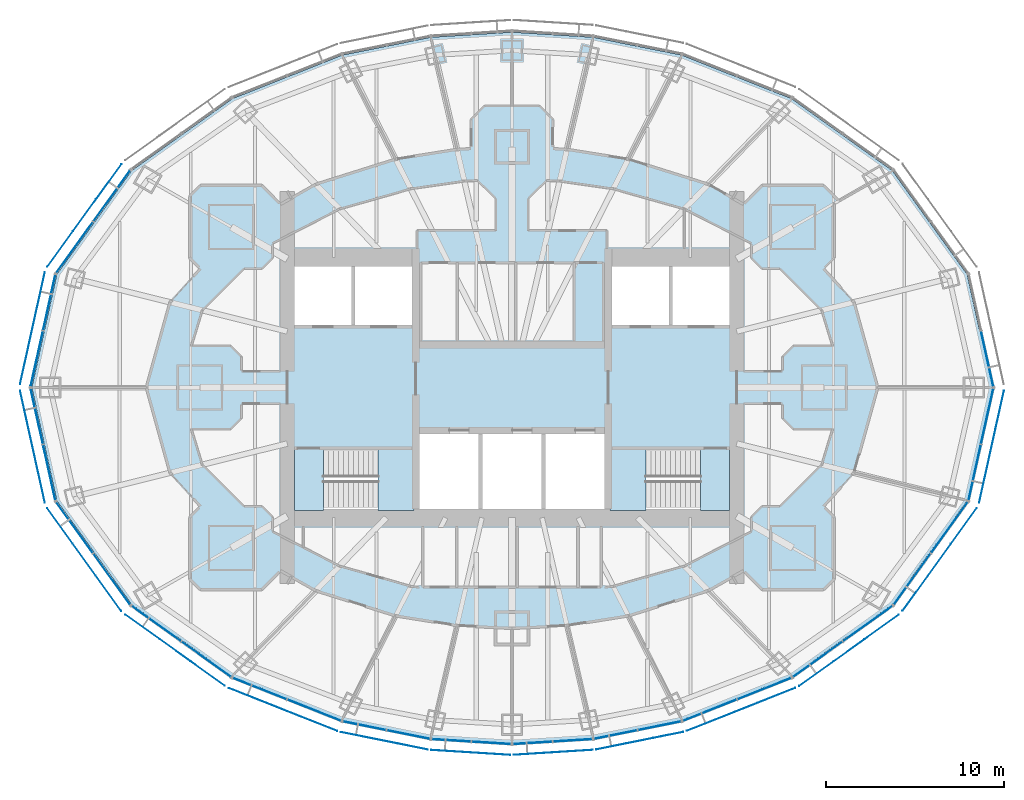
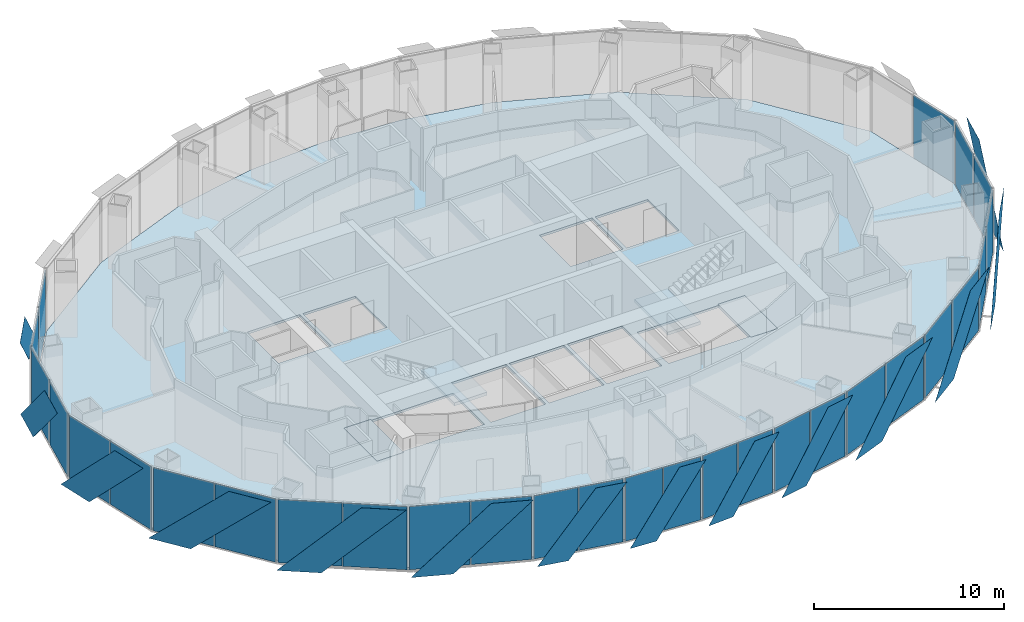
# One storey, part 10 of 18: 43 plates, 5 slabs, 17 elements without a shape of their own.
"""IFC4 building model written with IfcOpenShell, lengths in metres."""

from ifc_helpers import new_model, si_unit, direction, frame, origin, origin_2d, place, context, subcontext, project, spatial, polyline, rectangle, outline, extrude, material, layer, layer_set, type_object, element, aggregate, save


model = new_model("IFC4")

# Units and contexts
model_context = context("Model", 3, precision=1e-05, world=origin(), true_north=direction((0.0, 1.0)))
body_context = subcontext(model_context, "Body", "Model", "MODEL_VIEW")
ifc_project = project(units=[si_unit("LENGTHUNIT", "METRE"), si_unit("AREAUNIT", "SQUARE_METRE"), si_unit("VOLUMEUNIT", "CUBIC_METRE"), si_unit("PLANEANGLEUNIT", "RADIAN"), si_unit("MASSUNIT", "GRAM", prefix="KILO")], contexts=[model_context])

# Site, building, storey
site_placement = place(None, origin())
site = spatial("IfcSite", under=ifc_project, at=site_placement, CompositionType="ELEMENT")
building_placement = place(site_placement, origin())
building = spatial("IfcBuilding", under=site, at=building_placement, Name="Lantaw Convention Tower", CompositionType="ELEMENT")
storey_placement = place(building_placement, frame((0.0, 0.0, 241.0)))
storey = spatial("IfcBuildingStorey", under=building, at=storey_placement, Name="L56", CompositionType="ELEMENT", Elevation=241.0)

# Curtain wall, plate
ifc_material_1 = material(Name="Aluminium framed curtain wall", Category="aluminium")
curtain_wall_type = type_object("IfcCurtainWallType", Name="Office curtain wall high rise, pale aluminium", PredefinedType="USERDEFINED", material=ifc_material_1)
curtain_wall_1_placement = place(storey_placement, origin())
curtain_wall_1 = element("IfcCurtainWall", 1, at=curtain_wall_1_placement, inside=storey, type_object=curtain_wall_type, Name="Office curtain wall high rise, pale aluminium L56", ObjectType="UNITISED CURTAIN WALL", PredefinedType="USERDEFINED")
ifc_material_2 = material(Name="Clear insulating glass", Category="glass")
ifc_layer_1 = layer(ifc_material_2, 0.028076171875)
ifc_layer_set_1 = layer_set([ifc_layer_1], Name="CW-O2 panel 28")
plate_type_1 = type_object("IfcPlateType", Name="CW-O2 panel 28", PredefinedType="CURTAIN_PANEL", material=ifc_layer_set_1)
plate_1_placement = place(storey_placement, frame((26.643798828125, 1.61083984375, -0.0849609375), z_axis=(0.0, 0.0, 1.0), x_axis=(-0.215891333626, 0.976417396437, 0.0)))
plate_1 = element("IfcPlate", 2, at=plate_1_placement, type_object=plate_type_1, Name="CW-O2 panel 1.1", PredefinedType="CURTAIN_PANEL", context=body_context, shape_type="SweptSolid", body=[
    extrude(rectangle(XDim=3.169677734375, YDim=0.028076171875, at=origin_2d()), origin(), (0.0, 0.0, 1.0), 4.070068359375),
])
aggregate(curtain_wall_1, [plate_1])

# Curtain wall, plates
curtain_wall_2_placement = place(storey_placement, origin())
curtain_wall_2 = element("IfcCurtainWall", 3, at=curtain_wall_2_placement, inside=storey, type_object=curtain_wall_type, Name="Office curtain wall high rise, pale aluminium L56", ObjectType="UNITISED CURTAIN WALL", PredefinedType="USERDEFINED")
plate_2_placement = place(storey_placement, frame((-22.4404296875, 10.743896484375, -0.0849609375), z_axis=(0.0, 0.0, 1.0), x_axis=(-0.585157643865, -0.810919559405, 0.0)))
plate_2 = element("IfcPlate", 4, at=plate_2_placement, type_object=plate_type_1, Name="CW-O2 panel 1.1", PredefinedType="CURTAIN_PANEL", context=body_context, shape_type="SweptSolid", body=[
    extrude(rectangle(XDim=3.500732421875, YDim=0.028076171875, at=origin_2d()), origin(), (0.0, 0.0, 1.0), 4.070068359375),
])
plate_3_placement = place(storey_placement, frame((-24.527099609375, 7.852294921875, -0.0849609375), z_axis=(0.0, 0.0, 1.0), x_axis=(-0.585157643865, -0.810919559405, 0.0)))
plate_3 = element("IfcPlate", 5, at=plate_3_placement, type_object=plate_type_1, Name="CW-O2 panel 2.1", PredefinedType="CURTAIN_PANEL", context=body_context, shape_type="SweptSolid", body=[
    extrude(rectangle(XDim=3.500732421875, YDim=0.028076171875, at=origin_2d()), origin(), (0.0, 0.0, 1.0), 4.070068359375),
])
aggregate(curtain_wall_2, [plate_2, plate_3])

curtain_wall_3_placement = place(storey_placement, origin())
curtain_wall_3 = element("IfcCurtainWall", 6, at=curtain_wall_3_placement, inside=storey, type_object=curtain_wall_type, Name="Office curtain wall high rise, pale aluminium L56", ObjectType="UNITISED CURTAIN WALL", PredefinedType="USERDEFINED")
plate_4_placement = place(storey_placement, frame((-25.945556640625, 4.769287109375, -0.0849609375), z_axis=(0.0, 0.0, 1.0), x_axis=(-0.215891333626, -0.976417396437, 0.0)))
plate_4 = element("IfcPlate", 7, at=plate_4_placement, type_object=plate_type_1, Name="CW-O2 panel 1.1", PredefinedType="CURTAIN_PANEL", context=body_context, shape_type="SweptSolid", body=[
    extrude(rectangle(XDim=3.169677734375, YDim=0.028076171875, at=origin_2d()), origin(), (0.0, 0.0, 1.0), 4.070068359375),
])
plate_5_placement = place(storey_placement, frame((-26.643798828125, 1.61083984375, -0.0849609375), z_axis=(0.0, 0.0, 1.0), x_axis=(-0.215891333626, -0.976417396437, 0.0)))
plate_5 = element("IfcPlate", 8, at=plate_5_placement, type_object=plate_type_1, Name="CW-O2 panel 2.1", PredefinedType="CURTAIN_PANEL", context=body_context, shape_type="SweptSolid", body=[
    extrude(rectangle(XDim=3.169677734375, YDim=0.028076171875, at=origin_2d()), origin(), (0.0, 0.0, 1.0), 4.070068359375),
])
aggregate(curtain_wall_3, [plate_4, plate_5])

curtain_wall_4_placement = place(storey_placement, origin())
curtain_wall_4 = element("IfcCurtainWall", 9, at=curtain_wall_4_placement, inside=storey, type_object=curtain_wall_type, Name="Office curtain wall high rise, pale aluminium L56", ObjectType="UNITISED CURTAIN WALL", PredefinedType="USERDEFINED")
plate_6_placement = place(storey_placement, frame((-26.643798828125, -1.61083984375, -0.0849609375), z_axis=(0.0, 0.0, 1.0), x_axis=(0.215891333626, -0.976417396437, 0.0)))
plate_6 = element("IfcPlate", 10, at=plate_6_placement, type_object=plate_type_1, Name="CW-O2 panel 1.1", PredefinedType="CURTAIN_PANEL", context=body_context, shape_type="SweptSolid", body=[
    extrude(rectangle(XDim=3.169677734375, YDim=0.028076171875, at=origin_2d()), origin(), (0.0, 0.0, 1.0), 4.070068359375),
])
plate_7_placement = place(storey_placement, frame((-25.945556640625, -4.769287109375, -0.0849609375), z_axis=(0.0, 0.0, 1.0), x_axis=(0.215891333626, -0.976417396437, 0.0)))
plate_7 = element("IfcPlate", 11, at=plate_7_placement, type_object=plate_type_1, Name="CW-O2 panel 2.1", PredefinedType="CURTAIN_PANEL", context=body_context, shape_type="SweptSolid", body=[
    extrude(rectangle(XDim=3.169677734375, YDim=0.028076171875, at=origin_2d()), origin(), (0.0, 0.0, 1.0), 4.070068359375),
])
aggregate(curtain_wall_4, [plate_6, plate_7])

curtain_wall_5_placement = place(storey_placement, origin())
curtain_wall_5 = element("IfcCurtainWall", 12, at=curtain_wall_5_placement, inside=storey, type_object=curtain_wall_type, Name="Office curtain wall high rise, pale aluminium L56", ObjectType="UNITISED CURTAIN WALL", PredefinedType="USERDEFINED")
plate_8_placement = place(storey_placement, frame((-24.527099609375, -7.852294921875, -0.0849609375), z_axis=(0.0, 0.0, 1.0), x_axis=(0.585157643865, -0.810919559405, 0.0)))
plate_8 = element("IfcPlate", 13, at=plate_8_placement, type_object=plate_type_1, Name="CW-O2 panel 1.1", PredefinedType="CURTAIN_PANEL", context=body_context, shape_type="SweptSolid", body=[
    extrude(rectangle(XDim=3.500732421875, YDim=0.028076171875, at=origin_2d()), origin(), (0.0, 0.0, 1.0), 4.070068359375),
])
plate_9_placement = place(storey_placement, frame((-22.4404296875, -10.743896484375, -0.0849609375), z_axis=(0.0, 0.0, 1.0), x_axis=(0.585157643865, -0.810919559405, 0.0)))
plate_9 = element("IfcPlate", 14, at=plate_9_placement, type_object=plate_type_1, Name="CW-O2 panel 2.1", PredefinedType="CURTAIN_PANEL", context=body_context, shape_type="SweptSolid", body=[
    extrude(rectangle(XDim=3.500732421875, YDim=0.028076171875, at=origin_2d()), origin(), (0.0, 0.0, 1.0), 4.070068359375),
])
aggregate(curtain_wall_5, [plate_8, plate_9])

curtain_wall_6_placement = place(storey_placement, origin())
curtain_wall_6 = element("IfcCurtainWall", 15, at=curtain_wall_6_placement, inside=storey, type_object=curtain_wall_type, Name="Office curtain wall high rise, pale aluminium L56", ObjectType="UNITISED CURTAIN WALL", PredefinedType="USERDEFINED")
plate_10_placement = place(storey_placement, frame((-19.947509765625, -13.23828125, -0.0849609375), z_axis=(0.0, 0.0, 1.0), x_axis=(0.813672540482, -0.581323487281, 0.0)))
plate_10 = element("IfcPlate", 16, at=plate_10_placement, type_object=plate_type_1, Name="CW-O2 panel 1.1", PredefinedType="CURTAIN_PANEL", context=body_context, shape_type="SweptSolid", body=[
    extrude(rectangle(XDim=3.386474609375, YDim=0.028076171875, at=origin_2d()), origin(), (0.0, 0.0, 1.0), 4.070068359375),
])
plate_11_placement = place(storey_placement, frame((-17.13916015625, -15.24462890625, -0.0849609375), z_axis=(0.0, 0.0, 1.0), x_axis=(0.813672540482, -0.581323487281, 0.0)))
plate_11 = element("IfcPlate", 17, at=plate_11_placement, type_object=plate_type_1, Name="CW-O2 panel 2.1", PredefinedType="CURTAIN_PANEL", context=body_context, shape_type="SweptSolid", body=[
    extrude(rectangle(XDim=3.386474609375, YDim=0.028076171875, at=origin_2d()), origin(), (0.0, 0.0, 1.0), 4.070068359375),
])
aggregate(curtain_wall_6, [plate_10, plate_11])

curtain_wall_7_placement = place(storey_placement, origin())
curtain_wall_7 = element("IfcCurtainWall", 18, at=curtain_wall_7_placement, inside=storey, type_object=curtain_wall_type, Name="Office curtain wall high rise, pale aluminium L56", ObjectType="UNITISED CURTAIN WALL", PredefinedType="USERDEFINED")
plate_12_placement = place(storey_placement, frame((-14.14990234375, -16.8837890625, -0.0849609375), z_axis=(0.0, 0.0, 1.0), x_axis=(0.929761533743, -0.368162315252, 0.0)))
plate_12 = element("IfcPlate", 19, at=plate_12_placement, type_object=plate_type_1, Name="CW-O2 panel 1.1", PredefinedType="CURTAIN_PANEL", context=body_context, shape_type="SweptSolid", body=[
    extrude(rectangle(XDim=3.222900390625, YDim=0.028076171875, at=origin_2d()), origin(), (0.0, 0.0, 1.0), 4.070068359375),
])
plate_13_placement = place(storey_placement, frame((-11.0927734375, -18.094482421875, -0.0849609375), z_axis=(0.0, 0.0, 1.0), x_axis=(0.929761533743, -0.368162315252, 0.0)))
plate_13 = element("IfcPlate", 20, at=plate_13_placement, type_object=plate_type_1, Name="CW-O2 panel 2.1", PredefinedType="CURTAIN_PANEL", context=body_context, shape_type="SweptSolid", body=[
    extrude(rectangle(XDim=3.222900390625, YDim=0.028076171875, at=origin_2d()), origin(), (0.0, 0.0, 1.0), 4.070068359375),
])
aggregate(curtain_wall_7, [plate_12, plate_13])

curtain_wall_8_placement = place(storey_placement, origin())
curtain_wall_8 = element("IfcCurtainWall", 21, at=curtain_wall_8_placement, inside=storey, type_object=curtain_wall_type, Name="Office curtain wall high rise, pale aluminium L56", ObjectType="UNITISED CURTAIN WALL", PredefinedType="USERDEFINED")
plate_14_placement = place(storey_placement, frame((-8.2724609375, -18.96533203125, -0.0849609375), z_axis=(0.0, 0.0, 1.0), x_axis=(0.980366679695, -0.197183095987, 0.0)))
plate_14 = element("IfcPlate", 22, at=plate_14_placement, type_object=plate_type_1, Name="CW-O2 panel 1.1", PredefinedType="CURTAIN_PANEL", context=body_context, shape_type="SweptSolid", body=[
    extrude(rectangle(XDim=2.44384765625, YDim=0.028076171875, at=origin_2d()), origin(), (0.0, 0.0, 1.0), 4.070068359375),
])
plate_15_placement = place(storey_placement, frame((-5.81298828125, -19.4599609375, -0.0849609375), z_axis=(0.0, 0.0, 1.0), x_axis=(0.980366679695, -0.197183095987, 0.0)))
plate_15 = element("IfcPlate", 23, at=plate_15_placement, type_object=plate_type_1, Name="CW-O2 panel 2.1", PredefinedType="CURTAIN_PANEL", context=body_context, shape_type="SweptSolid", body=[
    extrude(rectangle(XDim=2.44384765625, YDim=0.028076171875, at=origin_2d()), origin(), (0.0, 0.0, 1.0), 4.070068359375),
])
aggregate(curtain_wall_8, [plate_14, plate_15])

curtain_wall_9_placement = place(storey_placement, origin())
curtain_wall_9 = element("IfcCurtainWall", 24, at=curtain_wall_9_placement, inside=storey, type_object=curtain_wall_type, Name="Office curtain wall high rise, pale aluminium L56", ObjectType="UNITISED CURTAIN WALL", PredefinedType="USERDEFINED")
plate_16_placement = place(storey_placement, frame((-3.397216796875, -19.786376953125, -0.0849609375), z_axis=(0.0, 0.0, 1.0), x_axis=(0.998028774865, -0.062757983884, 0.0)))
plate_16 = element("IfcPlate", 25, at=plate_16_placement, type_object=plate_type_1, Name="CW-O2 panel 1.1", PredefinedType="CURTAIN_PANEL", context=body_context, shape_type="SweptSolid", body=[
    extrude(rectangle(XDim=2.1826171875, YDim=0.028076171875, at=origin_2d()), origin(), (0.0, 0.0, 1.0), 4.070068359375),
])
plate_17_placement = place(storey_placement, frame((-1.154052734375, -19.927490234375, -0.0849609375), z_axis=(0.0, 0.0, 1.0), x_axis=(0.998028774865, -0.062757983884, 0.0)))
plate_17 = element("IfcPlate", 26, at=plate_17_placement, type_object=plate_type_1, Name="CW-O2 panel 2.1", PredefinedType="CURTAIN_PANEL", context=body_context, shape_type="SweptSolid", body=[
    extrude(rectangle(XDim=2.1826171875, YDim=0.028076171875, at=origin_2d()), origin(), (0.0, 0.0, 1.0), 4.070068359375),
])
aggregate(curtain_wall_9, [plate_16, plate_17])

curtain_wall_10_placement = place(storey_placement, origin())
curtain_wall_10 = element("IfcCurtainWall", 27, at=curtain_wall_10_placement, inside=storey, type_object=curtain_wall_type, Name="Office curtain wall high rise, pale aluminium L56", ObjectType="UNITISED CURTAIN WALL", PredefinedType="USERDEFINED")
plate_18_placement = place(storey_placement, frame((1.154052734375, -19.927490234375, -0.0849609375), z_axis=(0.0, 0.0, 1.0), x_axis=(0.998028774865, 0.062757983884, 0.0)))
plate_18 = element("IfcPlate", 28, at=plate_18_placement, type_object=plate_type_1, Name="CW-O2 panel 1.1", PredefinedType="CURTAIN_PANEL", context=body_context, shape_type="SweptSolid", body=[
    extrude(rectangle(XDim=2.1826171875, YDim=0.028076171875, at=origin_2d()), origin(), (0.0, 0.0, 1.0), 4.070068359375),
])
plate_19_placement = place(storey_placement, frame((3.397216796875, -19.786376953125, -0.0849609375), z_axis=(0.0, 0.0, 1.0), x_axis=(0.998028774865, 0.062757983884, 0.0)))
plate_19 = element("IfcPlate", 29, at=plate_19_placement, type_object=plate_type_1, Name="CW-O2 panel 2.1", PredefinedType="CURTAIN_PANEL", context=body_context, shape_type="SweptSolid", body=[
    extrude(rectangle(XDim=2.1826171875, YDim=0.028076171875, at=origin_2d()), origin(), (0.0, 0.0, 1.0), 4.070068359375),
])
aggregate(curtain_wall_10, [plate_18, plate_19])

curtain_wall_11_placement = place(storey_placement, origin())
curtain_wall_11 = element("IfcCurtainWall", 30, at=curtain_wall_11_placement, inside=storey, type_object=curtain_wall_type, Name="Office curtain wall high rise, pale aluminium L56", ObjectType="UNITISED CURTAIN WALL", PredefinedType="USERDEFINED")
plate_20_placement = place(storey_placement, frame((5.81298828125, -19.4599609375, -0.0849609375), z_axis=(0.0, 0.0, 1.0), x_axis=(0.980366679695, 0.197183095987, 0.0)))
plate_20 = element("IfcPlate", 31, at=plate_20_placement, type_object=plate_type_1, Name="CW-O2 panel 1.1", PredefinedType="CURTAIN_PANEL", context=body_context, shape_type="SweptSolid", body=[
    extrude(rectangle(XDim=2.44384765625, YDim=0.028076171875, at=origin_2d()), origin(), (0.0, 0.0, 1.0), 4.070068359375),
])
plate_21_placement = place(storey_placement, frame((8.2724609375, -18.96533203125, -0.0849609375), z_axis=(0.0, 0.0, 1.0), x_axis=(0.980366679695, 0.197183095987, 0.0)))
plate_21 = element("IfcPlate", 32, at=plate_21_placement, type_object=plate_type_1, Name="CW-O2 panel 2.1", PredefinedType="CURTAIN_PANEL", context=body_context, shape_type="SweptSolid", body=[
    extrude(rectangle(XDim=2.44384765625, YDim=0.028076171875, at=origin_2d()), origin(), (0.0, 0.0, 1.0), 4.070068359375),
])
aggregate(curtain_wall_11, [plate_20, plate_21])

curtain_wall_12_placement = place(storey_placement, origin())
curtain_wall_12 = element("IfcCurtainWall", 33, at=curtain_wall_12_placement, inside=storey, type_object=curtain_wall_type, Name="Office curtain wall high rise, pale aluminium L56", ObjectType="UNITISED CURTAIN WALL", PredefinedType="USERDEFINED")
plate_22_placement = place(storey_placement, frame((11.0927734375, -18.094482421875, -0.0849609375), z_axis=(0.0, 0.0, 1.0), x_axis=(0.929761533743, 0.368162315252, 0.0)))
plate_22 = element("IfcPlate", 34, at=plate_22_placement, type_object=plate_type_1, Name="CW-O2 panel 1.1", PredefinedType="CURTAIN_PANEL", context=body_context, shape_type="SweptSolid", body=[
    extrude(rectangle(XDim=3.222900390625, YDim=0.028076171875, at=origin_2d()), origin(), (0.0, 0.0, 1.0), 4.070068359375),
])
plate_23_placement = place(storey_placement, frame((14.14990234375, -16.8837890625, -0.0849609375), z_axis=(0.0, 0.0, 1.0), x_axis=(0.929761533743, 0.368162315252, 0.0)))
plate_23 = element("IfcPlate", 35, at=plate_23_placement, type_object=plate_type_1, Name="CW-O2 panel 2.1", PredefinedType="CURTAIN_PANEL", context=body_context, shape_type="SweptSolid", body=[
    extrude(rectangle(XDim=3.222900390625, YDim=0.028076171875, at=origin_2d()), origin(), (0.0, 0.0, 1.0), 4.070068359375),
])
aggregate(curtain_wall_12, [plate_22, plate_23])

curtain_wall_13_placement = place(storey_placement, origin())
curtain_wall_13 = element("IfcCurtainWall", 36, at=curtain_wall_13_placement, inside=storey, type_object=curtain_wall_type, Name="Office curtain wall high rise, pale aluminium L56", ObjectType="UNITISED CURTAIN WALL", PredefinedType="USERDEFINED")
plate_24_placement = place(storey_placement, frame((17.13916015625, -15.24462890625, -0.0849609375), z_axis=(0.0, 0.0, 1.0), x_axis=(0.813672540482, 0.581323487281, 0.0)))
plate_24 = element("IfcPlate", 37, at=plate_24_placement, type_object=plate_type_1, Name="CW-O2 panel 1.1", PredefinedType="CURTAIN_PANEL", context=body_context, shape_type="SweptSolid", body=[
    extrude(rectangle(XDim=3.386474609375, YDim=0.028076171875, at=origin_2d()), origin(), (0.0, 0.0, 1.0), 4.070068359375),
])
plate_25_placement = place(storey_placement, frame((19.947509765625, -13.23828125, -0.0849609375), z_axis=(0.0, 0.0, 1.0), x_axis=(0.813672540482, 0.581323487281, 0.0)))
plate_25 = element("IfcPlate", 38, at=plate_25_placement, type_object=plate_type_1, Name="CW-O2 panel 2.1", PredefinedType="CURTAIN_PANEL", context=body_context, shape_type="SweptSolid", body=[
    extrude(rectangle(XDim=3.386474609375, YDim=0.028076171875, at=origin_2d()), origin(), (0.0, 0.0, 1.0), 4.070068359375),
])
aggregate(curtain_wall_13, [plate_24, plate_25])

curtain_wall_14_placement = place(storey_placement, origin())
curtain_wall_14 = element("IfcCurtainWall", 39, at=curtain_wall_14_placement, inside=storey, type_object=curtain_wall_type, Name="Office curtain wall high rise, pale aluminium L56", ObjectType="UNITISED CURTAIN WALL", PredefinedType="USERDEFINED")
plate_26_placement = place(storey_placement, frame((22.4404296875, -10.743896484375, -0.0849609375), z_axis=(0.0, 0.0, 1.0), x_axis=(0.585157643865, 0.810919559405, 0.0)))
plate_26 = element("IfcPlate", 40, at=plate_26_placement, type_object=plate_type_1, Name="CW-O2 panel 1.1", PredefinedType="CURTAIN_PANEL", context=body_context, shape_type="SweptSolid", body=[
    extrude(rectangle(XDim=3.500732421875, YDim=0.028076171875, at=origin_2d()), origin(), (0.0, 0.0, 1.0), 4.070068359375),
])
plate_27_placement = place(storey_placement, frame((24.527099609375, -7.852294921875, -0.0849609375), z_axis=(0.0, 0.0, 1.0), x_axis=(0.585157643865, 0.810919559405, 0.0)))
plate_27 = element("IfcPlate", 41, at=plate_27_placement, type_object=plate_type_1, Name="CW-O2 panel 2.1", PredefinedType="CURTAIN_PANEL", context=body_context, shape_type="SweptSolid", body=[
    extrude(rectangle(XDim=3.500732421875, YDim=0.028076171875, at=origin_2d()), origin(), (0.0, 0.0, 1.0), 4.070068359375),
])
aggregate(curtain_wall_14, [plate_26, plate_27])

curtain_wall_15_placement = place(storey_placement, origin())
curtain_wall_15 = element("IfcCurtainWall", 42, at=curtain_wall_15_placement, inside=storey, type_object=curtain_wall_type, Name="Office curtain wall high rise, pale aluminium L56", ObjectType="UNITISED CURTAIN WALL", PredefinedType="USERDEFINED")
plate_28_placement = place(storey_placement, frame((25.945556640625, -4.769287109375, -0.0849609375), z_axis=(0.0, 0.0, 1.0), x_axis=(0.215891333626, 0.976417396437, 0.0)))
plate_28 = element("IfcPlate", 43, at=plate_28_placement, type_object=plate_type_1, Name="CW-O2 panel 1.1", PredefinedType="CURTAIN_PANEL", context=body_context, shape_type="SweptSolid", body=[
    extrude(rectangle(XDim=3.169677734375, YDim=0.028076171875, at=origin_2d()), origin(), (0.0, 0.0, 1.0), 4.070068359375),
])
plate_29_placement = place(storey_placement, frame((26.643798828125, -1.61083984375, -0.0849609375), z_axis=(0.0, 0.0, 1.0), x_axis=(0.215891333626, 0.976417396437, 0.0)))
plate_29 = element("IfcPlate", 44, at=plate_29_placement, type_object=plate_type_1, Name="CW-O2 panel 2.1", PredefinedType="CURTAIN_PANEL", context=body_context, shape_type="SweptSolid", body=[
    extrude(rectangle(XDim=3.169677734375, YDim=0.028076171875, at=origin_2d()), origin(), (0.0, 0.0, 1.0), 4.070068359375),
])
aggregate(curtain_wall_15, [plate_28, plate_29])

# Slab
ifc_material_3 = material(Name="Concrete C35/45", Category="concrete")
ifc_layer_2 = layer(ifc_material_3, 0.14990234375)
ifc_layer_set_2 = layer_set([ifc_layer_2], Name="Floor slab 150")
slab_type_1 = type_object("IfcSlabType", Name="Floor slab 150", PredefinedType="FLOOR", material=ifc_layer_set_2)
slab_1_placement = place(storey_placement, frame((0.0, 0.0, -0.14990234375)))
element("IfcSlab", 45, at=slab_1_placement, inside=storey, type_object=slab_type_1, Name="L56 floor slab", PredefinedType="FLOOR", context=body_context, shape_type="SweptSolid", body=[
    extrude(outline(polyline([(25.51953125, -6.348876953125), (26.923095703125, 0.0), (25.51953125, 6.348876953125), (21.324462890625, 12.162109375), (15.67236328125, 16.2001953125), (9.5126953125, 18.639404296875), (4.54150390625, 19.63916015625), (0.0, 19.9248046875), (-4.54150390625, 19.63916015625), (-9.5126953125, 18.639404296875), (-15.67236328125, 16.2001953125), (-21.324462890625, 12.162109375), (-25.51953125, 6.348876953125), (-26.923095703125, 0.0), (-25.51953125, -6.348876953125), (-21.324462890625, -12.162109375), (-15.67236328125, -16.2001953125), (-9.5126953125, -18.639404296875), (-4.54150390625, -19.63916015625), (0.0, -19.9248046875), (4.54150390625, -19.63916015625), (9.5126953125, -18.639404296875), (15.67236328125, -16.2001953125), (21.324462890625, -12.162109375), (25.51953125, -6.348876953125)]), holes=[polyline([(-5.60009765625, -3.5), (-12.199951171875, -3.5), (-12.199951171875, -6.800048828125), (-5.60009765625, -6.800048828125), (-5.60009765625, -3.5)]), polyline([(12.199951171875, -3.5), (5.60009765625, -3.5), (5.60009765625, -6.800048828125), (12.199951171875, -6.800048828125), (12.199951171875, -3.5)]), polyline([(-1.86669921875, -2.60009765625), (-5.199951171875, -2.60009765625), (-5.199951171875, -6.800048828125), (-1.86669921875, -6.800048828125), (-1.86669921875, -2.60009765625)]), polyline([(1.666748046875, -2.60009765625), (-1.666748046875, -2.60009765625), (-1.666748046875, -6.800048828125), (1.666748046875, -6.800048828125), (1.666748046875, -2.60009765625)]), polyline([(5.199951171875, -2.60009765625), (1.86669921875, -2.60009765625), (1.86669921875, -6.800048828125), (5.199951171875, -6.800048828125), (5.199951171875, -2.60009765625)]), polyline([(-9.0, 6.800048828125), (-12.199951171875, 6.800048828125), (-12.199951171875, 3.5), (-9.0, 3.5), (-9.0, 6.800048828125)]), polyline([(-5.60009765625, 6.800048828125), (-8.800048828125, 6.800048828125), (-8.800048828125, 3.5), (-5.60009765625, 3.5), (-5.60009765625, 6.800048828125)]), polyline([(8.800048828125, 3.5), (8.800048828125, 6.800048828125), (5.60009765625, 6.800048828125), (5.60009765625, 3.5), (8.800048828125, 3.5)]), polyline([(12.199951171875, 3.5), (12.199951171875, 6.800048828125), (9.0, 6.800048828125), (9.0, 3.5), (12.199951171875, 3.5)])]), origin(), (0.0, 0.0, 1.0), 0.14990234375),
])

# Plates
ifc_material_4 = material(Name="Perforated aluminium sheet, pale silver finish", Category="aluminium")
ifc_layer_3 = layer(ifc_material_4, 0.006103515625)
ifc_layer_set_3 = layer_set([ifc_layer_3], Name="Perforated aluminium solar SCREEN panel")
plate_type_2 = type_object("IfcPlateType", Name="Perforated aluminium solar SCREEN panel", PredefinedType="SHEET", material=ifc_layer_set_3)
plate_30_placement = place(storey_placement, frame((-21.898681640625, 12.530029296875, -0.175048828125), z_axis=(-0.810892289695, 0.585195432394, 2.0458414e-05), x_axis=(-0.585195432516, -0.810892289865, 0.0)))
element("IfcPlate", 46, at=plate_30_placement, inside=storey, type_object=plate_type_2, Name="Solar SCREEN panel", PredefinedType="SHEET", context=body_context, shape_type="SweptSolid", body=[
    extrude(outline(polyline([(0.0, 0.0), (2.446848840683286, -6.776263578034403e-21), (7.09661046667572, 4.340087891533265), (4.649761625992435, 4.340087891533265), (0.0, 0.0)])), origin(), (0.0, 0.0, -1.0), 0.006103515625),
])
plate_31_placement = place(storey_placement, frame((-26.19189453125, 6.462158203125, -0.175048828125), z_axis=(0.976429511424, -0.215836529031, 4.4219438e-05), x_axis=(-0.215836529242, -0.976429512379, 0.0)))
element("IfcPlate", 47, at=plate_31_placement, inside=storey, type_object=plate_type_2, Name="Solar SCREEN panel", PredefinedType="SHEET", context=body_context, shape_type="SweptSolid", body=[
    extrude(outline(polyline([(0.0, 0.0), (2.2215525295212517, 3.3881317890172014e-21), (6.4341686174090675, -4.340087894868215), (4.212616087887817, -4.340087894868215), (0.0, 0.0)])), origin(), (0.0, 0.0, -1.0), 0.006103515625),
])
plate_32_placement = place(storey_placement, frame((-27.580810546875, -0.1796875, -0.175048828125), z_axis=(-0.976429511424, -0.215836529031, 4.4219438e-05), x_axis=(0.215836529242, -0.976429512379, 0.0)))
element("IfcPlate", 48, at=plate_32_placement, inside=storey, type_object=plate_type_2, Name="Solar SCREEN panel", PredefinedType="SHEET", context=body_context, shape_type="SweptSolid", body=[
    extrude(outline(polyline([(0.0, 0.0), (2.2215525295212517, -3.3881317890172014e-21), (6.4341686174090675, 4.340087894868215), (4.212616087887817, 4.340087894868215), (0.0, 0.0)])), origin(), (0.0, 0.0, -1.0), 0.006103515625),
])
plate_33_placement = place(storey_placement, frame((-26.051513671875, -6.775390625, -0.175048828125), z_axis=(0.810892289695, 0.585195432394, 2.0458414e-05), x_axis=(0.585195432516, -0.810892289865, 0.0)))
element("IfcPlate", 49, at=plate_33_placement, inside=storey, type_object=plate_type_2, Name="Solar SCREEN panel", PredefinedType="SHEET", context=body_context, shape_type="SweptSolid", body=[
    extrude(outline(polyline([(0.0, 0.0), (2.446848840683286, 6.776263578034403e-21), (7.09661046667572, -4.340087891533265), (4.649761625992435, -4.340087891533265), (0.0, 0.0)])), origin(), (0.0, 0.0, -1.0), 0.006103515625),
])
plate_34_placement = place(storey_placement, frame((-21.689697265625, -12.73828125, -0.175048828125), z_axis=(-0.581330799771, -0.813667316006, 1.0072414e-05), x_axis=(0.813667316047, -0.5813307998, 3.02e-10)))
element("IfcPlate", 50, at=plate_34_placement, inside=storey, type_object=plate_type_2, Name="Solar SCREEN panel", PredefinedType="SHEET", context=body_context, shape_type="SweptSolid", body=[
    extrude(outline(polyline([(0.0, 0.0), (2.3691416428668504, 0.0), (6.867806096558412, 4.34008788877314), (4.498863102938644, 4.340087890202622), (0.0, 0.0)])), origin(), (0.0, 0.0, -1.0), 0.006103515625),
])
plate_35_placement = place(storey_placement, frame((-15.88525390625, -16.8486328125, -0.175048828125), z_axis=(0.368116612072, 0.929779629081, 3.5533269e-05), x_axis=(0.929779629668, -0.368116612304, -1.786e-09)))
element("IfcPlate", 51, at=plate_35_placement, inside=storey, type_object=plate_type_2, Name="Solar SCREEN panel", PredefinedType="SHEET", context=body_context, shape_type="SweptSolid", body=[
    extrude(outline(polyline([(0.0, 0.0), (2.2578720663572183, -3.3881317890172014e-21), (6.540904465438181, -4.340087905048178), (4.282942526861161, -4.340087896982072), (0.0, 0.0)])), origin(), (0.0, 0.0, -1.0), 0.006103515625),
])
plate_36_placement = place(storey_placement, frame((-9.6044921875, -19.315673828125, -0.175048828125), z_axis=(0.197162069853, 0.980370908428, 1.0904083e-05), x_axis=(0.980370908486, -0.197162069865, -7.55e-10)))
element("IfcPlate", 52, at=plate_36_placement, inside=storey, type_object=plate_type_2, Name="Solar SCREEN panel", PredefinedType="SHEET", context=body_context, shape_type="SweptSolid", body=[
    extrude(outline(polyline([(0.0, 0.0), (1.7279870169553606, 8.470329472543003e-22), (4.982578440602753, -4.340087894645749), (3.2545432883764285, -4.340087892035838), (0.0, 0.0)])), origin(), (0.0, 0.0, -1.0), 0.006103515625),
])
plate_37_placement = place(storey_placement, frame((-4.539306640625, -20.32177734375, -0.175048828125), z_axis=(0.062672387577, 0.998034151922, 5.858668e-05), x_axis=(0.998034153635, -0.062672387685, 0.0)))
element("IfcPlate", 53, at=plate_37_placement, inside=storey, type_object=plate_type_2, Name="Solar SCREEN panel", PredefinedType="SHEET", context=body_context, shape_type="SweptSolid", body=[
    extrude(outline(polyline([(0.0, 0.0), (1.5504111513762302, 8.470329472543003e-22), (4.460200019412434, -4.340087898073457), (2.9097888680362036, -4.340087898073457), (0.0, 0.0)])), origin(), (0.0, 0.0, -1.0), 0.006103515625),
])
plate_38_placement = place(storey_placement, frame((0.087890625, -20.6015625, -0.175048828125), z_axis=(0.062672387577, -0.998034151922, 5.858668e-05), x_axis=(0.998034153635, 0.062672387685, 0.0)))
element("IfcPlate", 54, at=plate_38_placement, inside=storey, type_object=plate_type_2, Name="Solar SCREEN panel", PredefinedType="SHEET", context=body_context, shape_type="SweptSolid", body=[
    extrude(outline(polyline([(0.0, 0.0), (1.5504111513762302, -8.470329472543003e-22), (4.460200019412434, 4.340087898073457), (2.9097888680362036, 4.340087898073457), (0.0, 0.0)])), origin(), (0.0, 0.0, -1.0), 0.006103515625),
])
plate_39_placement = place(storey_placement, frame((4.7197265625, -20.298095703125, -0.175048828125), z_axis=(0.197162069853, -0.980370908428, 1.0904083e-05), x_axis=(0.980370908486, 0.197162069865, 7.55e-10)))
element("IfcPlate", 55, at=plate_39_placement, inside=storey, type_object=plate_type_2, Name="Solar SCREEN panel", PredefinedType="SHEET", context=body_context, shape_type="SweptSolid", body=[
    extrude(outline(polyline([(0.0, 0.0), (1.7280351522263238, 4.235164736271502e-22), (4.982578447157737, 4.34008788712039), (3.2545914302023755, 4.340087889730228), (0.0, 0.0)])), origin(), (0.0, 0.0, -1.0), 0.006103515625),
])
plate_40_placement = place(storey_placement, frame((9.8037109375, -19.256591796875, -0.175048828125), z_axis=(0.368116612072, -0.929779629081, 3.5533269e-05), x_axis=(0.929779629668, 0.368116612304, 1.786e-09)))
element("IfcPlate", 56, at=plate_40_placement, inside=storey, type_object=plate_type_2, Name="Solar SCREEN panel", PredefinedType="SHEET", context=body_context, shape_type="SweptSolid", body=[
    extrude(outline(polyline([(0.0, 0.0), (2.257961938577019, 0.0), (6.540904480942253, 4.34008788168214), (4.283032414585035, 4.340087889747925), (0.0, 0.0)])), origin(), (0.0, 0.0, -1.0), 0.006103515625),
])
plate_41_placement = place(storey_placement, frame((16.1015625, -16.730712890625, -0.175048828125), z_axis=(-0.581330799771, 0.813667316006, 1.0072414e-05), x_axis=(0.813667316047, 0.5813307998, -3.02e-10)))
element("IfcPlate", 57, at=plate_41_placement, inside=storey, type_object=plate_type_2, Name="Solar SCREEN panel", PredefinedType="SHEET", context=body_context, shape_type="SweptSolid", body=[
    extrude(outline(polyline([(0.0, 0.0), (2.3689429936197683, -1.6940658945086007e-21), (6.867806093939489, -4.340087892917353), (4.498664451072639, -4.340087891487751), (0.0, 0.0)])), origin(), (0.0, 0.0, -1.0), 0.006103515625),
])
plate_42_placement = place(storey_placement, frame((21.898681640625, -12.530029296875, -0.175048828125), z_axis=(0.810892289695, -0.585195432394, 2.0458414e-05), x_axis=(0.585195432516, 0.810892289865, 0.0)))
element("IfcPlate", 58, at=plate_42_placement, inside=storey, type_object=plate_type_2, Name="Solar SCREEN panel", PredefinedType="SHEET", context=body_context, shape_type="SweptSolid", body=[
    extrude(outline(polyline([(0.0, 0.0), (2.446848840683286, -6.776263578034403e-21), (7.09661046667572, 4.340087891533265), (4.649761625992435, 4.340087891533265), (0.0, 0.0)])), origin(), (0.0, 0.0, -1.0), 0.006103515625),
])
plate_43_placement = place(storey_placement, frame((26.19189453125, -6.462158203125, -0.175048828125), z_axis=(-0.976429511424, 0.215836529031, 4.4219438e-05), x_axis=(0.215836529242, 0.976429512379, 0.0)))
element("IfcPlate", 59, at=plate_43_placement, inside=storey, type_object=plate_type_2, Name="Solar SCREEN panel", PredefinedType="SHEET", context=body_context, shape_type="SweptSolid", body=[
    extrude(outline(polyline([(0.0, 0.0), (2.2215525295212517, 3.3881317890172014e-21), (6.4341686174090675, -4.340087894868215), (4.212616087887817, -4.340087894868215), (0.0, 0.0)])), origin(), (0.0, 0.0, -1.0), 0.006103515625),
])

# Stair, slabs
stair_type = type_object("IfcStairType", Name="Exit stair 1500 riser 175 in 2 flights", PredefinedType="HALF_TURN_STAIR", material=ifc_material_3)
stair_1_placement = place(storey_placement, origin())
stair_1 = element("IfcStair", 60, at=stair_1_placement, inside=storey, type_object=stair_type, Name="Exit stair S1 L56", PredefinedType="HALF_TURN_STAIR")
ifc_layer_4 = layer(ifc_material_3, 0.199951171875)
ifc_layer_set_4 = layer_set([ifc_layer_4], Name="Stair landing 200")
slab_type_2 = type_object("IfcSlabType", Name="Stair landing 200", PredefinedType="LANDING", material=ifc_layer_set_4)
slab_2_placement = place(storey_placement, frame((0.0, 0.0, -0.199951171875)))
slab_2 = element("IfcSlab", 61, at=slab_2_placement, type_object=slab_type_2, Name="S1 landing 1", PredefinedType="LANDING", context=body_context, shape_type="SweptSolid", body=[
    extrude(outline(polyline([(-12.199951171875, -6.89990234375), (-10.580078125, -6.89990234375), (-10.580078125, -3.39990234375), (-12.199951171875, -3.39990234375), (-12.199951171875, -6.89990234375)])), origin(), (0.0, 0.0, 1.0), 0.199951171875),
])
slab_3_placement = place(storey_placement, frame((0.0, 0.0, 1.89990234375)))
slab_3 = element("IfcSlab", 62, at=slab_3_placement, type_object=slab_type_2, Name="S1 landing 2", PredefinedType="LANDING", context=body_context, shape_type="SweptSolid", body=[
    extrude(outline(polyline([(-7.5, -6.89990234375), (-5.5, -6.89990234375), (-5.5, -3.39990234375), (-7.5, -3.39990234375), (-7.5, -6.89990234375)])), origin(), (0.0, 0.0, 1.0), 0.2001953125),
])
aggregate(stair_1, [slab_2, slab_3])

stair_2_placement = place(storey_placement, origin())
stair_2 = element("IfcStair", 63, at=stair_2_placement, inside=storey, type_object=stair_type, Name="Exit stair S2 L56", PredefinedType="HALF_TURN_STAIR")
slab_4_placement = place(storey_placement, frame((0.0, 0.0, -0.199951171875)))
slab_4 = element("IfcSlab", 64, at=slab_4_placement, type_object=slab_type_2, Name="S2 landing 1", PredefinedType="LANDING", context=body_context, shape_type="SweptSolid", body=[
    extrude(outline(polyline([(10.580078125, -6.89990234375), (12.199951171875, -6.89990234375), (12.199951171875, -3.39990234375), (10.580078125, -3.39990234375), (10.580078125, -6.89990234375)])), origin(), (0.0, 0.0, 1.0), 0.199951171875),
])
slab_5_placement = place(storey_placement, frame((0.0, 0.0, 1.89990234375)))
slab_5 = element("IfcSlab", 65, at=slab_5_placement, type_object=slab_type_2, Name="S2 landing 2", PredefinedType="LANDING", context=body_context, shape_type="SweptSolid", body=[
    extrude(outline(polyline([(5.5, -6.89990234375), (7.5, -6.89990234375), (7.5, -3.39990234375), (5.5, -3.39990234375), (5.5, -6.89990234375)])), origin(), (0.0, 0.0, 1.0), 0.2001953125),
])
aggregate(stair_2, [slab_4, slab_5])

save(model, "model.ifc")
